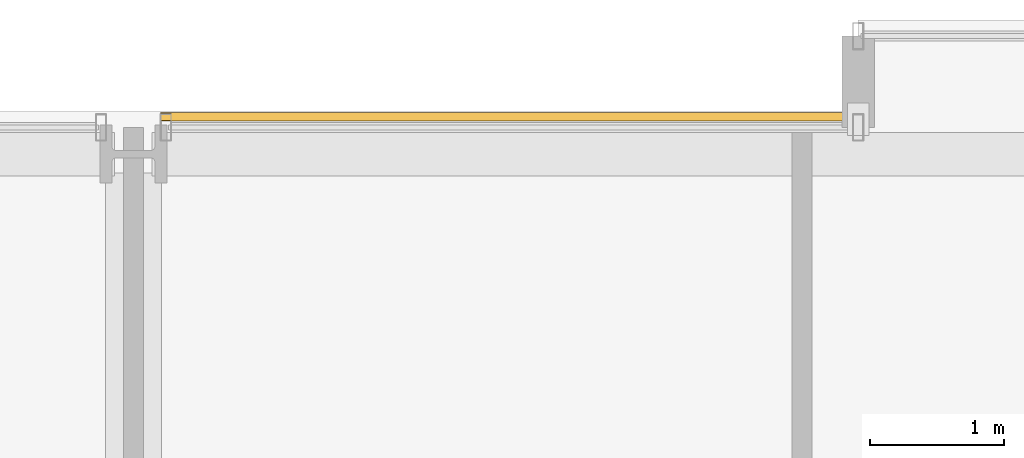
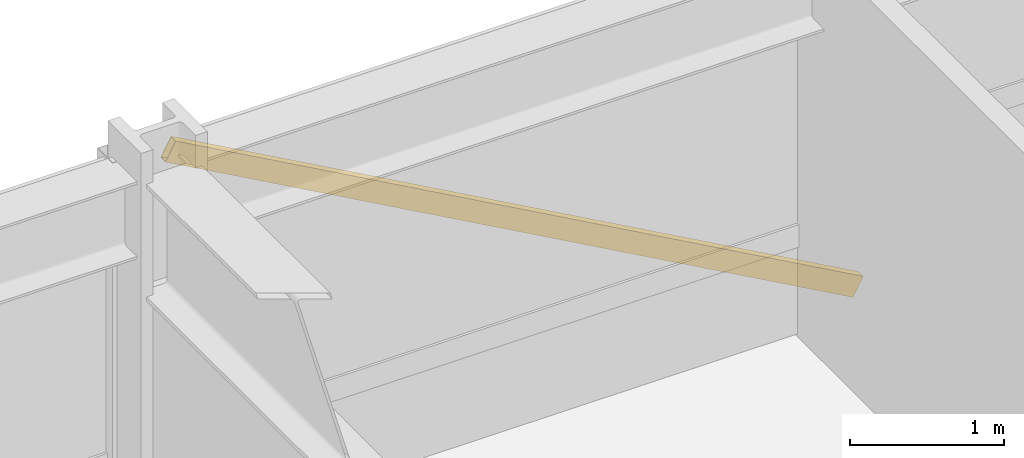
# One storey, part 39 of 39: 1 shading device.
"""IFC4 building model written with IfcOpenShell, lengths in metres."""

from ifc_helpers import new_model, si_unit, direction, frame, origin, origin_2d, place, context, subcontext, project, spatial, hollow_rectangle, extrude, material, material_profile, profile_set, type_object, element, save


model = new_model("IFC4")

# Units and contexts
model_context = context("Model", 3, precision=1e-05, world=origin(), true_north=direction((0.0, 1.0)))
body_context = subcontext(model_context, "Body", "Model", "MODEL_VIEW")
ifc_project = project(units=[si_unit("LENGTHUNIT", "METRE"), si_unit("AREAUNIT", "SQUARE_METRE"), si_unit("VOLUMEUNIT", "CUBIC_METRE"), si_unit("PLANEANGLEUNIT", "RADIAN"), si_unit("MASSUNIT", "GRAM", prefix="KILO")], contexts=[model_context])

# Site, building, storey
site_placement = place(None, origin())
site = spatial("IfcSite", under=ifc_project, at=site_placement, CompositionType="ELEMENT")
building_placement = place(site_placement, origin())
building = spatial("IfcBuilding", under=site, at=building_placement, Name="Drelvath Grand Hotel", CompositionType="ELEMENT")
storey_placement = place(building_placement, frame((0.0, 0.0, 36.699951171875)))
storey = spatial("IfcBuildingStorey", under=building, at=storey_placement, Name="L07", CompositionType="ELEMENT", Elevation=36.699951171875)

# Shading device
ifc_material = material(Name="Warm Bronze Anodised Aluminium", Category="aluminium")
ifc_material_profile = material_profile(ifc_material, hollow_rectangle(XDim=0.06494140625, YDim=0.159912109375, WallThickness=0.00390625, at=origin_2d()), Name="HSS160X65X4")
ifc_profile_set = profile_set([ifc_material_profile], Name="Warm Bronze Anodised Aluminium")
shading_device_type = type_object("IfcShadingDeviceType", Name="Diagonal Solar Fin Warm Bronze Anodised HSS160X65X4", PredefinedType="USERDEFINED", material=ifc_profile_set)
shading_device_placement = place(storey_placement, frame((5.39990234375, 53.280029296875, 0.179931640625), z_axis=(-0.873145760887, 0.0, 0.487459208801), x_axis=(0.0, -1.0, 0.0)))
element("IfcShadingDevice", 1, at=shading_device_placement, inside=storey, type_object=shading_device_type, Name="L07 Diagonal Anodised Fin CW02-L07-NM2", ObjectType="FIN", PredefinedType="USERDEFINED", context=body_context, shape_type="SweptSolid", body=[
    extrude(hollow_rectangle(XDim=0.06494140625, YDim=0.159912109375, WallThickness=0.00390625, at=origin_2d()), origin(), (0.0, 0.0, 1.0), 5.908447265625),
])

save(model, "model.ifc")
